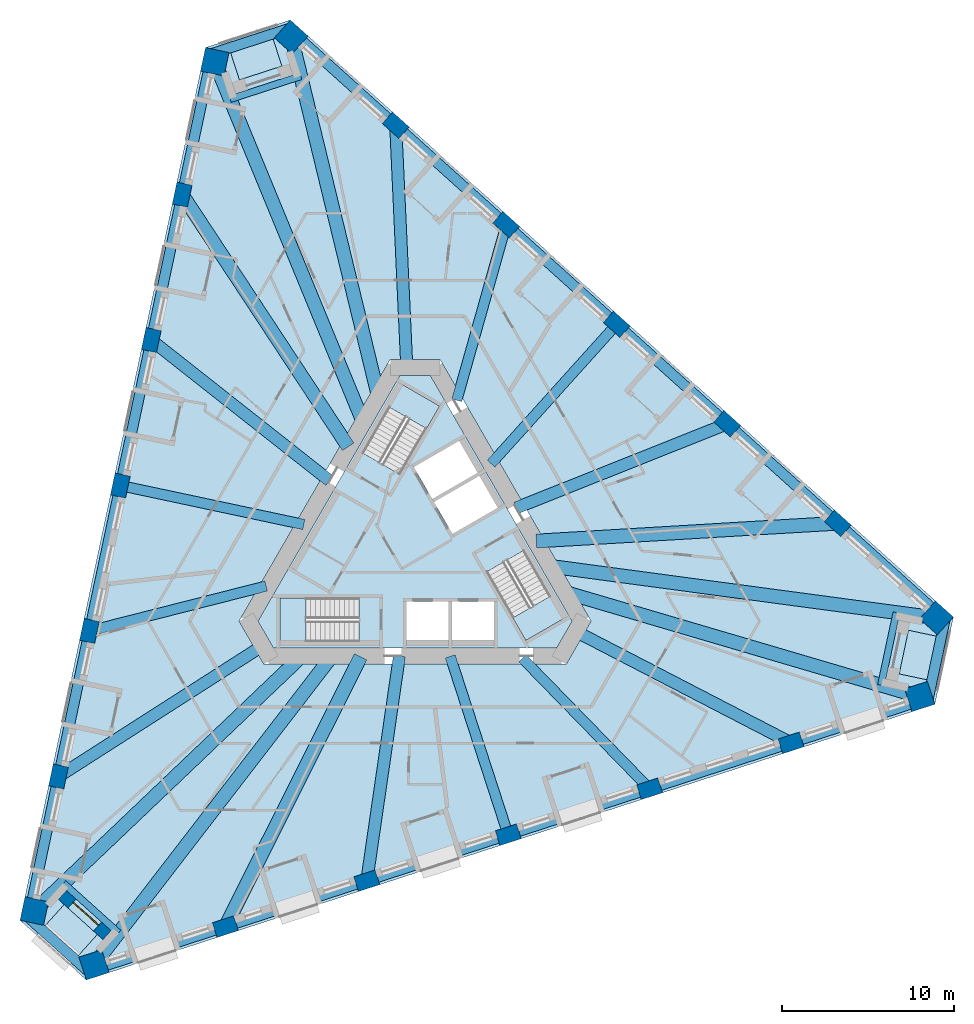
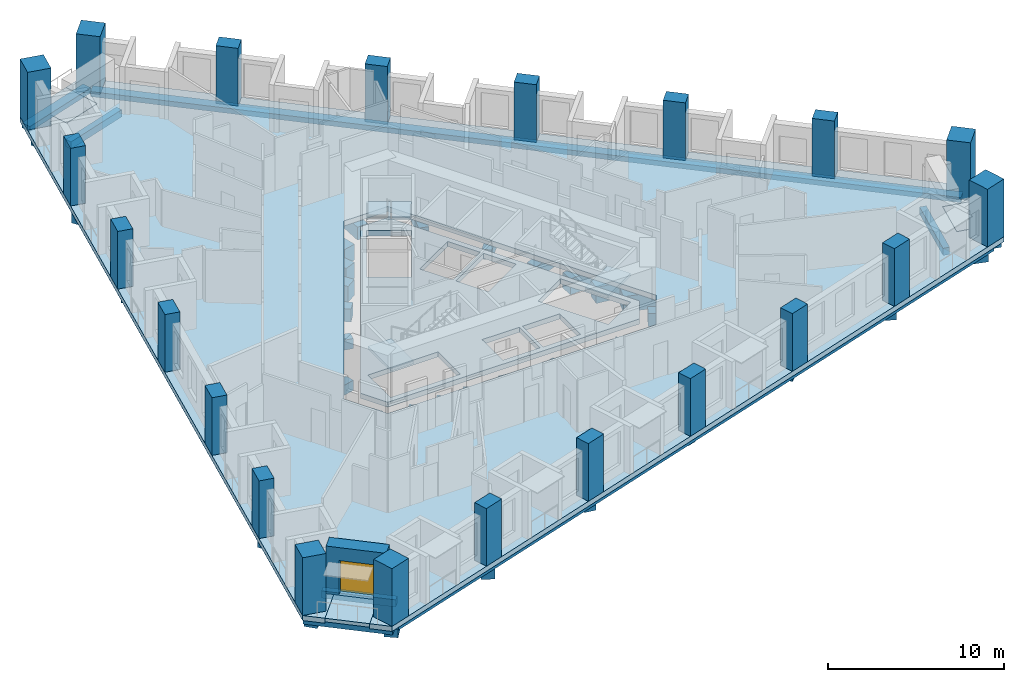
# One storey, part 1 of 13: 30 beams, 21 columns, 8 slabs, 1 door, 1 wall, 1 opening, 3 elements without a shape of their own.
"""IFC4 building model written with IfcOpenShell, lengths in metres."""

from ifc_helpers import new_model, si_unit, direction, frame, frame_2d, origin, origin_2d, place, context, subcontext, project, spatial, polyline, rectangle, outline, extrude, material, layer, layer_set, material_profile, profile_set, type_object, element, fill, aggregate, save


model = new_model("IFC4")

# Units and contexts
model_context = context("Model", 3, precision=1e-05, world=origin(), true_north=direction((0.0, 1.0)))
body_context = subcontext(model_context, "Body", "Model", "MODEL_VIEW")
ifc_project = project(units=[si_unit("LENGTHUNIT", "METRE"), si_unit("AREAUNIT", "SQUARE_METRE"), si_unit("VOLUMEUNIT", "CUBIC_METRE"), si_unit("PLANEANGLEUNIT", "RADIAN"), si_unit("MASSUNIT", "GRAM", prefix="KILO")], contexts=[model_context])

# Site, building, storey
site_placement = place(None, origin())
site = spatial("IfcSite", under=ifc_project, at=site_placement, CompositionType="ELEMENT")
building_placement = place(site_placement, origin())
building = spatial("IfcBuilding", under=site, at=building_placement, Name="Tramontana Tower", CompositionType="ELEMENT")
storey_placement = place(building_placement, frame((0.0, 0.0, 100.39990234375)))
storey = spatial("IfcBuildingStorey", under=building, at=storey_placement, Name="L22", CompositionType="ELEMENT", Elevation=100.39990234375)

# Columns
ifc_material_1 = material(Name="Concrete 70 MPa", Category="concrete")
ifc_material_profile_1 = material_profile(ifc_material_1, rectangle(XDim=1.39990234375, YDim=1.39990234375, at=origin_2d()), Name="Mega column 1400X1400 70 MPa")
ifc_profile_set_1 = profile_set([ifc_material_profile_1], Name="Concrete 70 MPa")
column_type_1 = type_object("IfcColumnType", Name="Mega column 1400X1400 70 MPa", PredefinedType="COLUMN", material=ifc_profile_set_1)
for number, where, z_axis, x_axis, name in (
    (1, (-11.665771484375, 28.3251953125, 0.0), (0.0, 0.0, 1.0), (-0.207911690818, -0.978147600734, 0.0), "Mega column C2K1 L22"),
    (2, (-22.17822265625, -21.13134765625, 0.0), (0.0, 0.0, 1.0), (-0.207911690818, -0.978147600734, 0.0), "Mega column C2K2 L22"),
    (3, (-18.697509765625, -24.265380859375, 0.0), (0.0, 0.0, 1.0), (0.951056516295, 0.309016994375, 0.0), "Mega column C2K3 L22"),
    (4, (29.389404296875, -8.64111328125, 0.0), (0.0, 0.0, 1.0), (0.951056516295, 0.309016994375, 0.0), "Mega column C2K4 L22"),
    (5, (30.36328125, -4.059814453125, 0.0), (0.0, 0.0, 1.0), (-0.743144825477, 0.669130606359, 0.0), "Mega column C2K5 L22"),
    (6, (-7.21142578125, 29.7724609375, 0.0), (0.0, 0.0, 1.0), (-0.743144825477, 0.669130606359, 0.0), "Mega column C2K6 L22"),
):
    element("IfcColumn", number, at=place(storey_placement, frame(where, z_axis=z_axis, x_axis=x_axis)), inside=storey, type_object=column_type_1, Name=name, PredefinedType="COLUMN", context=body_context, shape_type="SweptSolid", body=[
        extrude(rectangle(XDim=1.39990234375, YDim=1.39990234375, at=origin_2d()), origin(), (0.0, 0.0, 1.0), 4.0),
    ])
ifc_material_2 = material(Name="Concrete 55 MPa", Category="concrete")
ifc_material_profile_2 = material_profile(ifc_material_2, rectangle(XDim=1.300048828125, YDim=0.89990234375, at=origin_2d()), Name="Pier column 1300X900 55 MPa")
ifc_profile_set_2 = profile_set([ifc_material_profile_2], Name="Concrete 55 MPa")
column_type_2 = type_object("IfcColumnType", Name="Pier column 1300X900 55 MPa", PredefinedType="COLUMN", material=ifc_profile_set_2)
for number, where, z_axis, x_axis, name in (
    (7, (-13.5654296875, 20.5908203125, 0.0), (0.0, 0.0, 1.0), (-0.207911690818, -0.978147600734, 0.0), "Pier column C2F01 L22"),
    (8, (-15.365966796875, 12.119873046875, 0.0), (0.0, 0.0, 1.0), (-0.207911690818, -0.978147600734, 0.0), "Pier column C2F02 L22"),
    (9, (-17.16650390625, 3.64892578125, 0.0), (0.0, 0.0, 1.0), (-0.207911690818, -0.978147600734, 0.0), "Pier column C2F03 L22"),
    (10, (-18.967041015625, -4.822265625, 0.0), (0.0, 0.0, 1.0), (-0.207911690818, -0.978147600734, 0.0), "Pier column C2F04 L22"),
    (11, (-20.767578125, -13.293212890625, 0.0), (0.0, 0.0, 1.0), (-0.207911690818, -0.978147600734, 0.0), "Pier column C2F05 L22"),
    (12, (-11.049560546875, -22.04345703125, 0.0), (0.0, 0.0, 1.0), (0.951056516295, 0.309016994375, 0.0), "Pier column C2F06 L22"),
    (13, (-2.813232421875, -19.3671875, 0.0), (0.0, 0.0, 1.0), (0.951056516295, 0.309016994375, 0.0), "Pier column C2F07 L22"),
    (14, (5.42333984375, -16.691162109375, 0.0), (0.0, 0.0, 1.0), (0.951056516295, 0.309016994375, 0.0), "Pier column C2F08 L22"),
    (15, (13.65966796875, -14.014892578125, 0.0), (0.0, 0.0, 1.0), (0.951056516295, 0.309016994375, 0.0), "Pier column C2F09 L22"),
    (16, (21.89599609375, -11.338623046875, 0.0), (0.0, 0.0, 1.0), (0.951056516295, 0.309016994375, 0.0), "Pier column C2F10 L22"),
    (17, (24.614990234375, 1.452392578125, 0.0), (0.0, 0.0, 1.0), (-0.743144825477, 0.669130606359, 0.0), "Pier column C2F11 L22"),
    (18, (18.178955078125, 7.247314453125, 0.0), (0.0, 0.0, 1.0), (-0.743144825477, 0.669130606359, 0.0), "Pier column C2F12 L22"),
    (19, (11.7431640625, 13.042236328125, 0.0), (0.0, 0.0, 1.0), (-0.743144825477, 0.669130606359, 0.0), "Pier column C2F13 L22"),
    (20, (5.307373046875, 18.8369140625, 0.0), (0.0, 0.0, 1.0), (-0.743144825477, 0.669130606359, 0.0), "Pier column C2F14 L22"),
    (21, (-1.12841796875, 24.6318359375, 0.0), (0.0, 0.0, 1.0), (-0.743144825477, 0.669130606359, 0.0), "Pier column C2F15 L22"),
):
    element("IfcColumn", number, at=place(storey_placement, frame(where, z_axis=z_axis, x_axis=x_axis)), inside=storey, type_object=column_type_2, Name=name, PredefinedType="COLUMN", context=body_context, shape_type="SweptSolid", body=[
        extrude(rectangle(XDim=1.300048828125, YDim=0.89990234375, at=origin_2d()), origin(), (0.0, 0.0, 1.0), 4.0),
    ])

# Beams
ifc_material_3 = material(Name="Concrete 40 MPa", Category="concrete")
ifc_material_profile_3 = material_profile(ifc_material_3, rectangle(XDim=0.60009765625, YDim=0.35009765625, at=origin_2d()), Name="RC EDGE BEAM 600X350 40 MPa")
ifc_profile_set_3 = profile_set([ifc_material_profile_3], Name="Concrete 40 MPa")
beam_type_1 = type_object("IfcBeamType", Name="RC EDGE BEAM 600X350 40 MPa", PredefinedType="SPANDREL", material=ifc_profile_set_3)
beam_1_placement = place(storey_placement, frame((-11.910400390625, 28.377197265625, -0.52490234375), z_axis=(-0.207908708796, -0.978148234577, 0.0), x_axis=(0.978148234577, -0.207908708796, 0.0)))
element("IfcBeam", 22, at=beam_1_placement, inside=storey, type_object=beam_type_1, Name="Spandrel beam S0 L22", PredefinedType="SPANDREL", context=body_context, shape_type="SweptSolid", body=[
    extrude(rectangle(XDim=0.60009765625, YDim=0.35009765625, at=origin_2d()), origin(), (0.0, 0.0, 1.0), 50.561767578125),
])
beam_2_placement = place(storey_placement, frame((-18.6201171875, -24.503173828125, -0.52490234375), z_axis=(0.95105720178, 0.309014884661, 0.0), x_axis=(-0.309014884661, 0.95105720178, 0.0)))
element("IfcBeam", 23, at=beam_2_placement, inside=storey, type_object=beam_type_1, Name="Spandrel beam S1 L22", PredefinedType="SPANDREL", context=body_context, shape_type="SweptSolid", body=[
    extrude(rectangle(XDim=0.60009765625, YDim=0.35009765625, at=origin_2d()), origin(), (0.0, 0.0, 1.0), 50.5615234375),
])
beam_3_placement = place(storey_placement, frame((30.530517578125, -3.873779296875, -0.52490234375), z_axis=(-0.743146468863, 0.66912878119, 0.0), x_axis=(-0.66912878119, -0.743146468863, 0.0)))
element("IfcBeam", 24, at=beam_3_placement, inside=storey, type_object=beam_type_1, Name="Spandrel beam S2 L22", PredefinedType="SPANDREL", context=body_context, shape_type="SweptSolid", body=[
    extrude(rectangle(XDim=0.60009765625, YDim=0.35009765625, at=origin_2d()), origin(), (0.0, 0.0, 1.0), 50.561279296875),
])
beam_4_placement = place(storey_placement, frame((-7.1240234375, 30.333251953125, -0.52490234375), z_axis=(-0.951056854477, -0.309015953557, 0.0), x_axis=(0.309015953557, -0.951056854477, 0.0)))
element("IfcBeam", 25, at=beam_4_placement, inside=storey, type_object=beam_type_1, Name="Spandrel beam K0 L22", PredefinedType="SPANDREL", context=body_context, shape_type="SweptSolid", body=[
    extrude(rectangle(XDim=0.60009765625, YDim=0.35009765625, at=origin_2d()), origin(), (0.0, 0.0, 1.0), 5.1962890625),
])
beam_5_placement = place(storey_placement, frame((-22.707275390625, -21.336181640625, -0.52490234375), z_axis=(0.743160964229, -0.669112682025, 0.0), x_axis=(0.669112682025, 0.743160964229, 0.0)))
element("IfcBeam", 26, at=beam_5_placement, inside=storey, type_object=beam_type_1, Name="Spandrel beam K1 L22", PredefinedType="SPANDREL", context=body_context, shape_type="SweptSolid", body=[
    extrude(rectangle(XDim=0.60009765625, YDim=0.35009765625, at=origin_2d()), origin(), (0.0, 0.0, 1.0), 5.196044921875),
])
beam_6_placement = place(storey_placement, frame((29.831298828125, -8.9970703125, -0.52490234375), z_axis=(0.207902023431, 0.97814965555, 0.0), x_axis=(-0.97814965555, 0.207902023431, 0.0)))
element("IfcBeam", 27, at=beam_6_placement, inside=storey, type_object=beam_type_1, Name="Spandrel beam K2 L22", PredefinedType="SPANDREL", context=body_context, shape_type="SweptSolid", body=[
    extrude(rectangle(XDim=0.60009765625, YDim=0.35009765625, at=origin_2d()), origin(), (0.0, 0.0, 1.0), 5.1962890625),
])
ifc_material_4 = material(Name="Concrete 40 MPa", Category="concrete")
ifc_material_profile_4 = material_profile(ifc_material_4, rectangle(XDim=0.60009765625, YDim=0.699951171875, at=origin_2d()), Name="RC GIRDER 600X700 40 MPa")
ifc_profile_set_4 = profile_set([ifc_material_profile_4], Name="Concrete 40 MPa")
beam_type_2 = type_object("IfcBeamType", Name="RC GIRDER 600X700 40 MPa", PredefinedType="BEAM", material=ifc_profile_set_4)
beam_7_placement = place(storey_placement, frame((-17.16650390625, 3.64892578125, -0.699951171875), z_axis=(0.978147322784, -0.207912998466, 0.0), x_axis=(0.207912998466, 0.978147322784, 0.0)))
element("IfcBeam", 28, at=beam_7_placement, inside=storey, type_object=beam_type_2, Name="Radial girder C2F03 L22", PredefinedType="BEAM", context=body_context, shape_type="SweptSolid", body=[
    extrude(rectangle(XDim=0.60009765625, YDim=0.699951171875, at=origin_2d()), origin(), (0.0, 0.0, 1.0), 10.927490234375),
])
beam_8_placement = place(storey_placement, frame((-18.967041015625, -4.822265625, -0.699951171875), z_axis=(0.969167879742, 0.24640134106, 0.0), x_axis=(-0.24640134106, 0.969167879742, 0.0)))
element("IfcBeam", 29, at=beam_8_placement, inside=storey, type_object=beam_type_2, Name="Radial girder C2F04 L22", PredefinedType="BEAM", context=body_context, shape_type="SweptSolid", body=[
    extrude(rectangle(XDim=0.60009765625, YDim=0.699951171875, at=origin_2d()), origin(), (0.0, 0.0, 1.0), 10.61962890625),
])
beam_9_placement = place(storey_placement, frame((5.423095703125, -16.69091796875, -0.699951171875), z_axis=(-0.309006757929, 0.951059842257, 0.0), x_axis=(-0.951059842257, -0.309006757929, 0.0)))
element("IfcBeam", 30, at=beam_9_placement, inside=storey, type_object=beam_type_2, Name="Radial girder C2F08 L22", PredefinedType="BEAM", context=body_context, shape_type="SweptSolid", body=[
    extrude(rectangle(XDim=0.60009765625, YDim=0.699951171875, at=origin_2d()), origin(), (0.0, 0.0, 1.0), 10.927734375),
])
beam_10_placement = place(storey_placement, frame((13.65966796875, -14.014892578125, -0.699951171875), z_axis=(-0.697979323515, 0.716117912041, 0.0), x_axis=(-0.716117912041, -0.697979323515, 0.0)))
element("IfcBeam", 31, at=beam_10_placement, inside=storey, type_object=beam_type_2, Name="Radial girder C2F09 L22", PredefinedType="BEAM", context=body_context, shape_type="SweptSolid", body=[
    extrude(rectangle(XDim=0.60009765625, YDim=0.699951171875, at=origin_2d()), origin(), (0.0, 0.0, 1.0), 10.61962890625),
])
beam_11_placement = place(storey_placement, frame((11.7431640625, 13.042236328125, -0.699951171875), z_axis=(-0.669128882364, -0.743146377766, 0.0), x_axis=(0.743146377766, -0.669128882364, 0.0)))
element("IfcBeam", 32, at=beam_11_placement, inside=storey, type_object=beam_type_2, Name="Radial girder C2F13 L22", PredefinedType="BEAM", context=body_context, shape_type="SweptSolid", body=[
    extrude(rectangle(XDim=0.60009765625, YDim=0.699951171875, at=origin_2d()), origin(), (0.0, 0.0, 1.0), 10.927734375),
])
beam_12_placement = place(storey_placement, frame((5.307373046875, 18.8369140625, -0.699951171875), z_axis=(-0.271184951147, -0.962527257937, 0.0), x_axis=(0.962527257937, -0.271184951147, 0.0)))
element("IfcBeam", 33, at=beam_12_placement, inside=storey, type_object=beam_type_2, Name="Radial girder C2F14 L22", PredefinedType="BEAM", context=body_context, shape_type="SweptSolid", body=[
    extrude(rectangle(XDim=0.60009765625, YDim=0.699951171875, at=origin_2d()), origin(), (0.0, 0.0, 1.0), 10.61962890625),
])
ifc_material_5 = material(Name="Concrete 40 MPa", Category="concrete")
ifc_material_profile_5 = material_profile(ifc_material_5, rectangle(XDim=0.699951171875, YDim=0.89990234375, at=origin_2d()), Name="RC GIRDER 700X900 40 MPa")
ifc_profile_set_5 = profile_set([ifc_material_profile_5], Name="Concrete 40 MPa")
beam_type_3 = type_object("IfcBeamType", Name="RC GIRDER 700X900 40 MPa", PredefinedType="BEAM", material=ifc_profile_set_5)
beam_13_placement = place(storey_placement, frame((-15.365966796875, 12.119873046875, -0.7998046875), z_axis=(0.785161962565, -0.619290475093, 0.0), x_axis=(0.619290475093, 0.785161962565, 0.0)))
element("IfcBeam", 34, at=beam_13_placement, inside=storey, type_object=beam_type_3, Name="Radial girder C2F02 L22", PredefinedType="BEAM", context=body_context, shape_type="SweptSolid", body=[
    extrude(rectangle(XDim=0.699951171875, YDim=0.89990234375, at=origin_2d()), origin(), (0.0, 0.0, 1.0), 13.224609375),
])
beam_14_placement = place(storey_placement, frame((-20.767578125, -13.293212890625, -0.7998046875), z_axis=(0.842236860049, 0.539107662323, 0.0), x_axis=(-0.539107662323, 0.842236860049, 0.0)))
element("IfcBeam", 35, at=beam_14_placement, inside=storey, type_object=beam_type_3, Name="Radial girder C2F05 L22", PredefinedType="BEAM", context=body_context, shape_type="SweptSolid", body=[
    extrude(rectangle(XDim=0.699951171875, YDim=0.89990234375, at=origin_2d()), origin(), (0.0, 0.0, 1.0), 14.12109375),
])
beam_15_placement = place(storey_placement, frame((-2.81298828125, -19.3671875, -0.7998046875), z_axis=(0.143736706845, 0.989615965466, 0.0), x_axis=(-0.989615965466, 0.143736706845, 0.0)))
element("IfcBeam", 36, at=beam_15_placement, inside=storey, type_object=beam_type_3, Name="Radial girder C2F07 L22", PredefinedType="BEAM", context=body_context, shape_type="SweptSolid", body=[
    extrude(rectangle(XDim=0.699951171875, YDim=0.89990234375, at=origin_2d()), origin(), (0.0, 0.0, 1.0), 13.224609375),
])
beam_16_placement = place(storey_placement, frame((21.89599609375, -11.338623046875, -0.7998046875), z_axis=(-0.88800272981, 0.45983818007, 0.0), x_axis=(-0.45983818007, -0.88800272981, 0.0)))
element("IfcBeam", 37, at=beam_16_placement, inside=storey, type_object=beam_type_3, Name="Radial girder C2F10 L22", PredefinedType="BEAM", context=body_context, shape_type="SweptSolid", body=[
    extrude(rectangle(XDim=0.699951171875, YDim=0.89990234375, at=origin_2d()), origin(), (0.0, 0.0, 1.0), 14.12109375),
])
beam_17_placement = place(storey_placement, frame((18.17919921875, 7.247314453125, -0.7998046875), z_axis=(-0.928907671919, -0.370311405509, 0.0), x_axis=(0.370311405509, -0.928907671919, 0.0)))
element("IfcBeam", 38, at=beam_17_placement, inside=storey, type_object=beam_type_3, Name="Radial girder C2F12 L22", PredefinedType="BEAM", context=body_context, shape_type="SweptSolid", body=[
    extrude(rectangle(XDim=0.699951171875, YDim=0.89990234375, at=origin_2d()), origin(), (0.0, 0.0, 1.0), 13.224609375),
])
beam_18_placement = place(storey_placement, frame((-1.12841796875, 24.6318359375, -0.7998046875), z_axis=(0.045763702309, -0.99895229293, 0.0), x_axis=(0.99895229293, 0.045763702309, 0.0)))
element("IfcBeam", 39, at=beam_18_placement, inside=storey, type_object=beam_type_3, Name="Radial girder C2F15 L22", PredefinedType="BEAM", context=body_context, shape_type="SweptSolid", body=[
    extrude(rectangle(XDim=0.699951171875, YDim=0.89990234375, at=origin_2d()), origin(), (0.0, 0.0, 1.0), 14.121337890625),
])
ifc_material_6 = material(Name="Concrete 40 MPa", Category="concrete")
ifc_material_profile_6 = material_profile(ifc_material_6, rectangle(XDim=0.800048828125, YDim=1.10009765625, at=origin_2d()), Name="RC GIRDER 800X1100 40 MPa")
ifc_profile_set_6 = profile_set([ifc_material_profile_6], Name="Concrete 40 MPa")
beam_type_4 = type_object("IfcBeamType", Name="RC GIRDER 800X1100 40 MPa", PredefinedType="BEAM", material=ifc_profile_set_6)
beam_19_placement = place(storey_placement, frame((-11.665771484375, 28.3251953125, -0.89990234375), z_axis=(0.380819934235, -0.924649218725, 0.0), x_axis=(0.924649218725, 0.380819934235, 0.0)))
element("IfcBeam", 40, at=beam_19_placement, inside=storey, type_object=beam_type_4, Name="Radial girder C2K1 L22", PredefinedType="BEAM", context=body_context, shape_type="SweptSolid", body=[
    extrude(rectangle(XDim=0.800048828125, YDim=1.10009765625, at=origin_2d()), origin(), (0.0, 0.0, 1.0), 22.5869140625),
])
beam_20_placement = place(storey_placement, frame((-13.5654296875, 20.5908203125, -0.89990234375), z_axis=(0.550154503281, -0.835062885368, 0.0), x_axis=(0.835062885368, 0.550154503281, 0.0)))
element("IfcBeam", 41, at=beam_20_placement, inside=storey, type_object=beam_type_4, Name="Radial girder C2F01 L22", PredefinedType="BEAM", context=body_context, shape_type="SweptSolid", body=[
    extrude(rectangle(XDim=0.800048828125, YDim=1.10009765625, at=origin_2d()), origin(), (0.0, 0.0, 1.0), 17.58203125),
])
beam_21_placement = place(storey_placement, frame((-22.177978515625, -21.13134765625, -0.89990234375), z_axis=(0.723983254275, 0.689817546551, 0.0), x_axis=(-0.689817546551, 0.723983254275, 0.0)))
element("IfcBeam", 42, at=beam_21_placement, inside=storey, type_object=beam_type_4, Name="Radial girder C2K2 L22", PredefinedType="BEAM", context=body_context, shape_type="SweptSolid", body=[
    extrude(rectangle(XDim=0.800048828125, YDim=1.10009765625, at=origin_2d()), origin(), (0.0, 0.0, 1.0), 21.322998046875),
])
beam_22_placement = place(storey_placement, frame((-18.697509765625, -24.265380859375, -0.89990234375), z_axis=(0.610367161523, 0.792118632614, 0.0), x_axis=(-0.792118632614, 0.610367161523, 0.0)))
element("IfcBeam", 43, at=beam_22_placement, inside=storey, type_object=beam_type_4, Name="Radial girder C2K3 L22", PredefinedType="BEAM", context=body_context, shape_type="SweptSolid", body=[
    extrude(rectangle(XDim=0.800048828125, YDim=1.10009765625, at=origin_2d()), origin(), (0.0, 0.0, 1.0), 22.5869140625),
])
beam_23_placement = place(storey_placement, frame((-11.049560546875, -22.04345703125, -0.89990234375), z_axis=(0.448118712833, 0.893974059584, 0.0), x_axis=(-0.893974059584, 0.448118712833, 0.0)))
element("IfcBeam", 44, at=beam_23_placement, inside=storey, type_object=beam_type_4, Name="Radial girder C2F06 L22", PredefinedType="BEAM", context=body_context, shape_type="SweptSolid", body=[
    extrude(rectangle(XDim=0.800048828125, YDim=1.10009765625, at=origin_2d()), origin(), (0.0, 0.0, 1.0), 17.582275390625),
])
beam_24_placement = place(storey_placement, frame((29.389404296875, -8.64111328125, -0.89990234375), z_axis=(-0.959390293023, 0.282082019372, 0.0), x_axis=(-0.282082019372, -0.959390293023, 0.0)))
element("IfcBeam", 45, at=beam_24_placement, inside=storey, type_object=beam_type_4, Name="Radial girder C2K4 L22", PredefinedType="BEAM", context=body_context, shape_type="SweptSolid", body=[
    extrude(rectangle(XDim=0.800048828125, YDim=1.10009765625, at=origin_2d()), origin(), (0.0, 0.0, 1.0), 21.3232421875),
])
beam_25_placement = place(storey_placement, frame((30.36328125, -4.059814453125, -0.89990234375), z_axis=(-0.99117940686, 0.132526915819, 0.0), x_axis=(-0.132526915819, -0.99117940686, 0.0)))
element("IfcBeam", 46, at=beam_25_placement, inside=storey, type_object=beam_type_4, Name="Radial girder C2K5 L22", PredefinedType="BEAM", context=body_context, shape_type="SweptSolid", body=[
    extrude(rectangle(XDim=0.800048828125, YDim=1.10009765625, at=origin_2d()), origin(), (0.0, 0.0, 1.0), 22.587158203125),
])
beam_26_placement = place(storey_placement, frame((24.614990234375, 1.452392578125, -0.89990234375), z_axis=(-0.998263727152, -0.058902725346, 0.0), x_axis=(0.058902725346, -0.998263727152, 0.0)))
element("IfcBeam", 47, at=beam_26_placement, inside=storey, type_object=beam_type_4, Name="Radial girder C2F11 L22", PredefinedType="BEAM", context=body_context, shape_type="SweptSolid", body=[
    extrude(rectangle(XDim=0.800048828125, YDim=1.10009765625, at=origin_2d()), origin(), (0.0, 0.0, 1.0), 17.582275390625),
])
beam_27_placement = place(storey_placement, frame((-7.211181640625, 29.7724609375, -0.89990234375), z_axis=(0.235403401789, -0.971897751014, 0.0), x_axis=(0.971897751014, 0.235403401789, 0.0)))
element("IfcBeam", 48, at=beam_27_placement, inside=storey, type_object=beam_type_4, Name="Radial girder C2K6 L22", PredefinedType="BEAM", context=body_context, shape_type="SweptSolid", body=[
    extrude(rectangle(XDim=0.800048828125, YDim=1.10009765625, at=origin_2d()), origin(), (0.0, 0.0, 1.0), 21.322998046875),
])
ifc_material_7 = material(Name="Concrete 40 MPa", Category="concrete")
ifc_material_profile_7 = material_profile(ifc_material_7, rectangle(XDim=0.39990234375, YDim=0.5, at=origin_2d()), Name="RC TRIM BEAM 400X500 40 MPa")
ifc_profile_set_7 = profile_set([ifc_material_profile_7], Name="Concrete 40 MPa")
beam_type_5 = type_object("IfcBeamType", Name="RC TRIM BEAM 400X500 40 MPa", PredefinedType="JOIST", material=ifc_profile_set_7)
for number, where, z_axis, x_axis, name in (
    (49, (-6.657958984375, 27.48779296875, -0.599853515625), (-0.951061034198, -0.309003089354, 0.0), (0.309003089354, -0.951061034198, 0.0), "Trimmer beam K0 L22"),
    (50, (-20.476318359375, -19.510009765625, -0.599853515625), (0.743173417356, -0.669098850496, 0.0), (0.669098850496, 0.743173417356, 0.0), "Trimmer beam K1 L22"),
    (51, (27.13427734375, -7.97802734375, -0.599853515625), (0.207882389407, 0.978153828482, 0.0), (-0.978153828482, 0.207882389407, 0.0), "Trimmer beam K2 L22"),
):
    element("IfcBeam", number, at=place(storey_placement, frame(where, z_axis=z_axis, x_axis=x_axis)), inside=storey, type_object=beam_type_5, Name=name, PredefinedType="JOIST", context=body_context, shape_type="SweptSolid", body=[
        extrude(rectangle(XDim=0.39990234375, YDim=0.5, at=origin_2d()), origin(), (0.0, 0.0, 1.0), 4.32421875),
    ])

# Slabs
ifc_material_8 = material(Name="Precast concrete 50 MPa", Category="concrete")
ifc_layer_1 = layer(ifc_material_8, 0.25)
ifc_layer_set_1 = layer_set([ifc_layer_1], Name="LT1 Loggia floor tray 250")
slab_type_1 = type_object("IfcSlabType", Name="LT1 Loggia floor tray 250", PredefinedType="FLOOR", material=ifc_layer_set_1)
slab_1_placement = place(storey_placement, frame((0.0, 0.0, -0.25)))
element("IfcSlab", 52, at=slab_1_placement, inside=storey, type_object=slab_type_1, Name="Corner loggia floor L22 K20", PredefinedType="FLOOR", context=body_context, shape_type="SweptSolid", body=[
    extrude(outline(polyline([(-8.49755859375, 30.360107421875), (-7.756103515625, 28.077392578125), (-10.228759765625, 27.27392578125), (-10.970458984375, 29.556640625), (-8.49755859375, 30.360107421875)])), origin(), (0.0, 0.0, 1.0), 0.25),
])
slab_2_placement = place(storey_placement, frame((0.0, 0.0, -0.25)))
element("IfcSlab", 53, at=slab_2_placement, inside=storey, type_object=slab_type_1, Name="Corner loggia floor L22 K21", PredefinedType="FLOOR", context=body_context, shape_type="SweptSolid", body=[
    extrude(outline(polyline([(-22.043701171875, -22.539306640625), (-20.437744140625, -20.755615234375), (-18.505615234375, -22.495361328125), (-20.111572265625, -24.279052734375), (-22.043701171875, -22.539306640625)])), origin(), (0.0, 0.0, 1.0), 0.25),
])
slab_3_placement = place(storey_placement, frame((0.0, 0.0, -0.25)))
element("IfcSlab", 54, at=slab_3_placement, inside=storey, type_object=slab_type_1, Name="Corner loggia floor L22 K22", PredefinedType="FLOOR", context=body_context, shape_type="SweptSolid", body=[
    extrude(outline(polyline([(30.541259765625, -7.82080078125), (28.19384765625, -7.32177734375), (28.734375, -4.778564453125), (31.08203125, -5.277587890625), (30.541259765625, -7.82080078125)])), origin(), (0.0, 0.0, 1.0), 0.25),
])
ifc_material_9 = material(Name="Concrete 40 MPa", Category="concrete")
ifc_layer_2 = layer(ifc_material_9, 0.35009765625)
ifc_layer_set_2 = layer_set([ifc_layer_2], Name="PT FLAT SLAB 350 40 MPa")
slab_type_2 = type_object("IfcSlabType", Name="PT FLAT SLAB 350 40 MPa", PredefinedType="FLOOR", material=ifc_layer_set_2)
slab_4_placement = place(storey_placement, frame((0.0, 0.0, -0.349853515625)))
element("IfcSlab", 55, at=slab_4_placement, inside=storey, type_object=slab_type_2, Name="Floor slab L22", PredefinedType="FLOOR", context=body_context, shape_type="SweptSolid", body=[
    extrude(outline(polyline([(31.081787109375, -5.277587890625), (28.734375, -4.778564453125), (28.19384765625, -7.32177734375), (30.54150390625, -7.82080078125), (30.271484375, -9.090576171875), (-19.14697265625, -25.1474609375), (-20.111572265625, -24.27880859375), (-18.505615234375, -22.495361328125), (-20.437744140625, -20.755615234375), (-22.043701171875, -22.539306640625), (-23.00830078125, -21.670654296875), (-12.205078125, 29.155517578125), (-10.970458984375, 29.556640625), (-10.228759765625, 27.27392578125), (-7.756103515625, 28.077392578125), (-8.497802734375, 30.360107421875), (-7.26318359375, 30.760986328125), (31.351806640625, -4.0078125), (31.081787109375, -5.277587890625)]), holes=[polyline([(-10.248046875, -4.25), (-8.8046875, -6.75), (8.8046875, -6.75), (10.248046875, -4.25), (1.443359375, 11.0), (-1.443359375, 11.0), (-10.248046875, -4.25)])]), origin(), (0.0, 0.0, 1.0), 0.349853515625),
])
slab_5_placement = place(storey_placement, frame((0.0, 0.0, -0.349853515625)))
element("IfcSlab", 56, at=slab_5_placement, inside=storey, type_object=slab_type_2, Name="Core floor slab L22", PredefinedType="FLOOR", context=body_context, shape_type="SweptSolid", body=[
    extrude(outline(polyline([(9.15087890625, -4.25), (8.256103515625, -5.800048828125), (-8.256103515625, -5.800048828125), (-9.15087890625, -4.25), (-0.89501953125, 10.050048828125), (0.89501953125, 10.050048828125), (9.15087890625, -4.25)]), holes=[polyline([(8.659912109375, -4.099365234375), (6.35986328125, -0.115478515625), (4.151611328125, -1.390625), (6.451416015625, -5.374267578125), (8.659912109375, -4.099365234375)]), polyline([(3.829833984375, 4.2666015625), (1.101806640625, 2.69140625), (2.177001953125, 0.82958984375), (4.90478515625, 2.404541015625), (3.829833984375, 4.2666015625)]), polyline([(4.590087890625, -3.10009765625), (2.139892578125, -3.10009765625), (2.139892578125, -5.449951171875), (4.590087890625, -5.449951171875), (4.590087890625, -3.10009765625)]), polyline([(2.65478515625, 6.3017578125), (-0.072998046875, 4.726806640625), (1.001953125, 2.86474609375), (3.729736328125, 4.439697265625), (2.65478515625, 6.3017578125)]), polyline([(1.93994140625, -5.449951171875), (1.93994140625, -3.10009765625), (-0.510009765625, -3.10009765625), (-0.510009765625, -5.449951171875), (1.93994140625, -5.449951171875)]), polyline([(-0.77978515625, 9.54931640625), (-3.079833984375, 5.565673828125), (-0.87158203125, 4.29052734375), (1.428466796875, 8.2744140625), (-0.77978515625, 9.54931640625)]), polyline([(-7.8798828125, -5.449951171875), (-3.280029296875, -5.449951171875), (-3.280029296875, -2.89990234375), (-7.8798828125, -2.89990234375), (-7.8798828125, -5.449951171875)])]), origin(), (0.0, 0.0, 1.0), 0.349853515625),
])

# Stair, slab
ifc_material_10 = material(Name="Concrete 40 MPa", Category="concrete")
stair_type = type_object("IfcStairType", Name="EXIT STAIR 24 RISERS", PredefinedType="HALF_TURN_STAIR", material=ifc_material_10)
stair_1_placement = place(storey_placement, origin())
stair_1 = element("IfcStair", 57, at=stair_1_placement, inside=storey, type_object=stair_type, Name="L22 Exit stair ST1", PredefinedType="HALF_TURN_STAIR")
ifc_material_11 = material(Name="Concrete 40 MPa", Category="concrete")
ifc_layer_3 = layer(ifc_material_11, 0.199951171875)
ifc_layer_set_3 = layer_set([ifc_layer_3], Name="STAIR LANDING 200")
slab_type_3 = type_object("IfcSlabType", Name="STAIR LANDING 200", PredefinedType="LANDING", material=ifc_layer_set_3)
slab_6_placement = place(storey_placement, frame((0.0, 0.0, 1.800048828125)))
slab_6 = element("IfcSlab", 58, at=slab_6_placement, type_object=slab_type_3, Name="ST1 landing 1", PredefinedType="LANDING", context=body_context, shape_type="SweptSolid", body=[
    extrude(outline(polyline([(0.66845703125, 6.9580078125), (1.428466796875, 8.274169921875), (-0.77978515625, 9.54931640625), (-1.539794921875, 8.23291015625), (0.66845703125, 6.9580078125)])), origin(), (0.0, 0.0, 1.0), 0.199951171875),
])
aggregate(stair_1, [slab_6])

stair_2_placement = place(storey_placement, origin())
stair_2 = element("IfcStair", 59, at=stair_2_placement, inside=storey, type_object=stair_type, Name="L22 Exit stair ST2", PredefinedType="HALF_TURN_STAIR")
slab_7_placement = place(storey_placement, frame((0.0, 0.0, 1.800048828125)))
slab_7 = element("IfcSlab", 60, at=slab_7_placement, type_object=slab_type_3, Name="ST2 landing 1", PredefinedType="LANDING", context=body_context, shape_type="SweptSolid", body=[
    extrude(outline(polyline([(-6.360107421875, -2.89990234375), (-7.8798828125, -2.89990234375), (-7.8798828125, -5.449951171875), (-6.360107421875, -5.449951171875), (-6.360107421875, -2.89990234375)])), origin(), (0.0, 0.0, 1.0), 0.199951171875),
])
aggregate(stair_2, [slab_7])

stair_3_placement = place(storey_placement, origin())
stair_3 = element("IfcStair", 61, at=stair_3_placement, inside=storey, type_object=stair_type, Name="L22 Exit stair ST3", PredefinedType="HALF_TURN_STAIR")
slab_8_placement = place(storey_placement, frame((0.0, 0.0, 1.800048828125)))
slab_8 = element("IfcSlab", 62, at=slab_8_placement, type_object=slab_type_3, Name="ST3 landing 1", PredefinedType="LANDING", context=body_context, shape_type="SweptSolid", body=[
    extrude(outline(polyline([(5.69140625, -4.057861328125), (6.451416015625, -5.374267578125), (8.659912109375, -4.099365234375), (7.89990234375, -2.782958984375), (5.69140625, -4.057861328125)])), origin(), (0.0, 0.0, 1.0), 0.199951171875),
])
aggregate(stair_3, [slab_8])

# Wall, opening, door
ifc_material_12 = material(Name="Precast concrete 60 MPa", Category="concrete")
ifc_layer_4 = layer(ifc_material_12, 0.89990234375)
ifc_layer_set_4 = layer_set([ifc_layer_4], Name="EW2 Stone-faced corner loggia wall 900")
wall_type = type_object("IfcWallType", Name="EW2 Stone-faced corner loggia wall 900", PredefinedType="SOLIDWALL", material=ifc_layer_set_4)
wall_placement = place(storey_placement, frame((-17.8701171875, -22.462158203125, 0.0), z_axis=(0.0, 0.0, 1.0), x_axis=(-0.743141519559, 0.669134277936, 0.0)))
wall = element("IfcWall", 63, at=wall_placement, inside=storey, type_object=wall_type, Name="Corner loggia wall L22 K21", PredefinedType="SOLIDWALL", context=body_context, shape_type="SweptSolid", body=[
    extrude(rectangle(XDim=3.5, YDim=0.89990234375, at=frame_2d((1.75, 0.0))), origin(), (0.0, 0.0, 1.0), 3.300048828125),
])
opening_placement = place(wall_placement, frame((0.75, 0.0, 0.0)))
opening = element("IfcOpeningElement", 64, at=opening_placement, cuts=wall, Name="Opening BD-21C", PredefinedType="OPENING", context=body_context, shape_type="SweptSolid", body=[
    extrude(rectangle(XDim=2.0, YDim=2.39990234375, at=frame_2d((1.0, 1.199951171875))), frame((0.0, 0.4599609375, 0.0), z_axis=(0.0, -1.0, 0.0), x_axis=(1.0, 0.0, 0.0)), (0.0, 0.0, 1.0), 0.919921875),
])
ifc_material_13 = material(Name="Aluminum frame, double glazing unit", Category="aluminium")
door_type = type_object("IfcDoorType", Name="BC1 Sliding door 2 x 2.4", OperationType="SLIDING_TO_LEFT", PredefinedType="DOOR", material=ifc_material_13)
door_placement = place(opening_placement, origin())
door = element("IfcDoor", 65, at=door_placement, inside=storey, type_object=door_type, Name="Corner loggia door L22 K21", OperationType="SLIDING_TO_LEFT", OverallHeight=2.39990234375, OverallWidth=2.0, PredefinedType="DOOR", context=body_context, shape_type="SweptSolid", body=[
    extrude(rectangle(XDim=2.0, YDim=2.39990234375, at=frame_2d((1.0, 1.199951171875))), frame((0.0, 0.02490234375, 0.0), z_axis=(0.0, -1.0, 0.0), x_axis=(1.0, 0.0, 0.0)), (0.0, 0.0, 1.0), 0.050048828125),
])
fill(opening, door)

save(model, "model.ifc")
